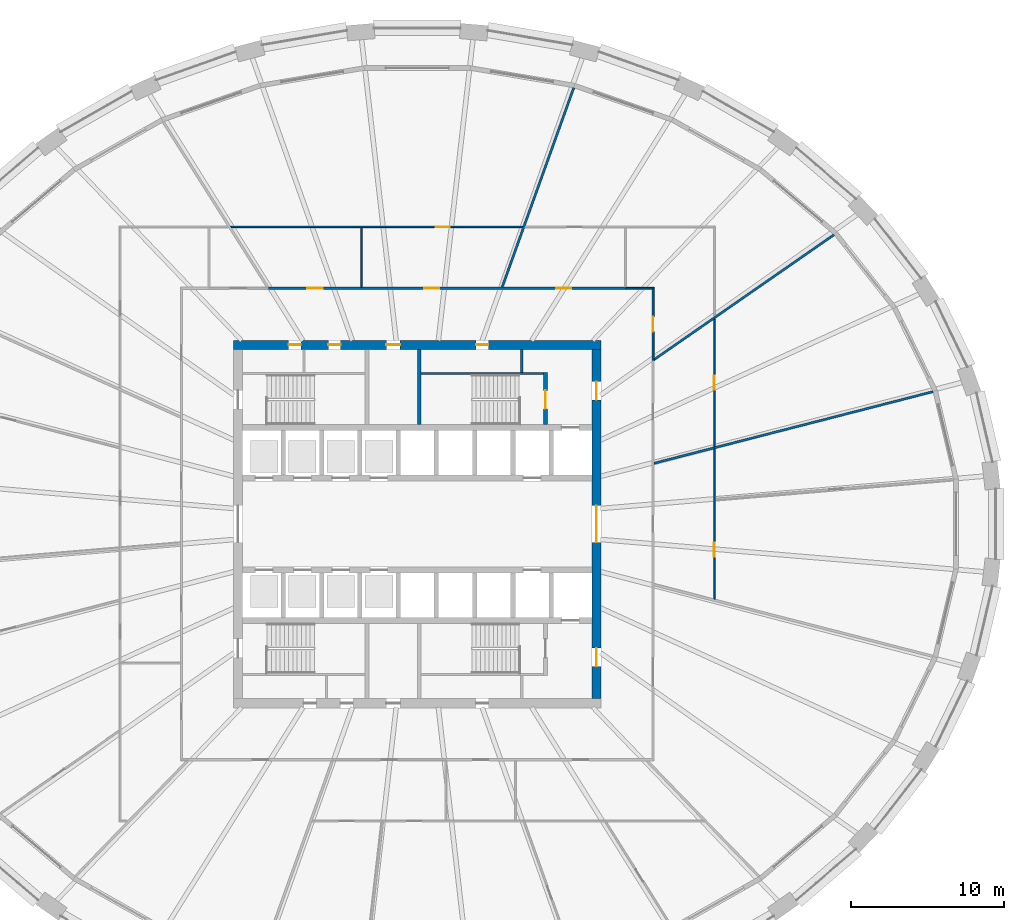
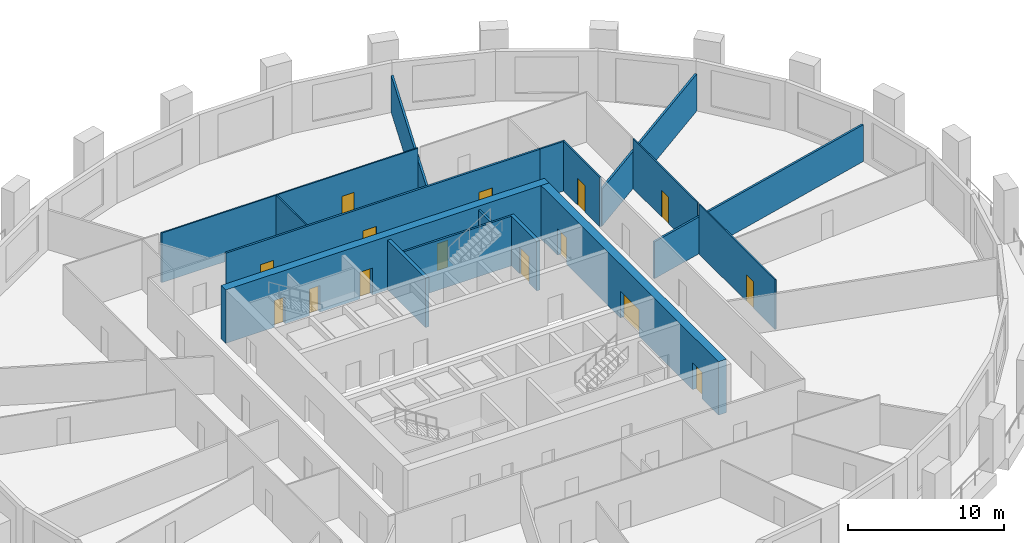
# One storey, part 7 of 12: 16 walls, 15 doors, 15 openings.
"""IFC4 building model written with IfcOpenShell, lengths in metres."""

from ifc_helpers import new_model, si_unit, direction, frame, frame_2d, origin, place, context, subcontext, project, spatial, polyline, rectangle, outline, extrude, material, layer, layer_set, type_object, element, fill, save


model = new_model("IFC4")

# Units and contexts
model_context = context("Model", 3, precision=1e-05, world=origin(), true_north=direction((0.0, 1.0)))
body_context = subcontext(model_context, "Body", "Model", "MODEL_VIEW")
ifc_project = project(units=[si_unit("LENGTHUNIT", "METRE"), si_unit("AREAUNIT", "SQUARE_METRE"), si_unit("VOLUMEUNIT", "CUBIC_METRE"), si_unit("PLANEANGLEUNIT", "RADIAN"), si_unit("MASSUNIT", "GRAM", prefix="KILO")], contexts=[model_context])

# Site, building, storey
site_placement = place(None, origin())
site = spatial("IfcSite", under=ifc_project, at=site_placement, CompositionType="ELEMENT")
building_placement = place(site_placement, origin())
building = spatial("IfcBuilding", under=site, at=building_placement, Name="Halqa Exchange Tower", CompositionType="ELEMENT")
storey_placement = place(building_placement, frame((0.0, 0.0, 31.89990234375)))
storey = spatial("IfcBuildingStorey", under=building, at=storey_placement, Name="L06", CompositionType="ELEMENT", Elevation=31.89990234375)

# Wall, openings, doors
ifc_material_1 = material(Name="Fire-rated gypsum board")
ifc_layer_1 = layer(ifc_material_1, 0.14990234375)
ifc_layer_set_1 = layer_set([ifc_layer_1], Name="Fire-rated gypsum board")
wall_type_1 = type_object("IfcWallType", Name="Fire partition EI 60 150", PredefinedType="PARTITIONING", material=ifc_layer_set_1)
wall_1_placement = place(storey_placement, frame((-9.72998046875, 15.39990234375, 0.0), z_axis=(0.0, 0.0, 1.0), x_axis=(1.0, 0.0, 0.0)))
wall_1 = element("IfcWall", 1, at=wall_1_placement, inside=storey, type_object=wall_type_1, Name="L06-PWL-023", PredefinedType="PARTITIONING", context=body_context, shape_type="SweptSolid", body=[
    extrude(rectangle(XDim=23.330078125, YDim=0.14990234375, at=frame_2d((11.6650390625, 0.0))), origin(), (0.0, 0.0, 1.0), 3.900146484375),
])
opening_1_placement = place(wall_1_placement, frame((18.7900390625, 0.0, 0.0)))
opening_1 = element("IfcOpeningElement", 2, at=opening_1_placement, cuts=wall_1, Name="Opening 01-05", PredefinedType="OPENING", context=body_context, shape_type="SweptSolid", body=[
    extrude(rectangle(XDim=1.0, YDim=2.10009765625, at=frame_2d((0.5, 1.050048828125))), frame((0.0, 0.0869140625, 0.0), z_axis=(0.0, -1.0, 0.0), x_axis=(1.0, 0.0, 0.0)), (0.0, 0.0, 1.0), 0.173828125),
])
opening_2_placement = place(wall_1_placement, frame((10.175048828125, 0.0, 0.0)))
opening_2 = element("IfcOpeningElement", 3, at=opening_2_placement, cuts=wall_1, Name="Opening 01-06", PredefinedType="OPENING", context=body_context, shape_type="SweptSolid", body=[
    extrude(rectangle(XDim=1.0, YDim=2.10009765625, at=frame_2d((0.5, 1.050048828125))), frame((0.0, 0.0869140625, 0.0), z_axis=(0.0, -1.0, 0.0), x_axis=(1.0, 0.0, 0.0)), (0.0, 0.0, 1.0), 0.173828125),
])
opening_3_placement = place(wall_1_placement, frame((2.550048828125, 0.0, 0.0)))
opening_3 = element("IfcOpeningElement", 4, at=opening_3_placement, cuts=wall_1, Name="Opening 01-07", PredefinedType="OPENING", context=body_context, shape_type="SweptSolid", body=[
    extrude(rectangle(XDim=1.0, YDim=2.10009765625, at=frame_2d((0.5, 1.050048828125))), frame((0.0, 0.0869140625, 0.0), z_axis=(0.0, -1.0, 0.0), x_axis=(1.0, 0.0, 0.0)), (0.0, 0.0, 1.0), 0.173828125),
])
ifc_material_2 = material(Name="Steel fire door leaf", Category="steel")
door_type_1 = type_object("IfcDoorType", Name="Fire door FD30S 1000 x 2100", OperationType="SINGLE_SWING_LEFT", PredefinedType="DOOR", material=ifc_material_2)
door_1_placement = place(opening_1_placement, origin())
door_1 = element("IfcDoor", 5, at=door_1_placement, inside=storey, type_object=door_type_1, Name="L06-IDR-005", OperationType="SINGLE_SWING_RIGHT", OverallHeight=2.10009765625, OverallWidth=1.0, PredefinedType="DOOR", context=body_context, shape_type="SweptSolid", body=[
    extrude(rectangle(XDim=1.0, YDim=2.10009765625, at=frame_2d((0.5, 1.050048828125))), frame((0.0, 0.02490234375, 0.0), z_axis=(0.0, -1.0, 0.0), x_axis=(1.0, 0.0, 0.0)), (0.0, 0.0, 1.0), 0.050048828125),
])
fill(opening_1, door_1)
door_2_placement = place(opening_2_placement, origin())
door_2 = element("IfcDoor", 6, at=door_2_placement, inside=storey, type_object=door_type_1, Name="L06-IDR-006", OperationType="SINGLE_SWING_RIGHT", OverallHeight=2.10009765625, OverallWidth=1.0, PredefinedType="DOOR", context=body_context, shape_type="SweptSolid", body=[
    extrude(rectangle(XDim=1.0, YDim=2.10009765625, at=frame_2d((0.5, 1.050048828125))), frame((0.0, 0.02490234375, 0.0), z_axis=(0.0, -1.0, 0.0), x_axis=(1.0, 0.0, 0.0)), (0.0, 0.0, 1.0), 0.050048828125),
])
fill(opening_2, door_2)
door_3_placement = place(opening_3_placement, origin())
door_3 = element("IfcDoor", 7, at=door_3_placement, inside=storey, type_object=door_type_1, Name="L06-IDR-007", OperationType="SINGLE_SWING_RIGHT", OverallHeight=2.10009765625, OverallWidth=1.0, PredefinedType="DOOR", context=body_context, shape_type="SweptSolid", body=[
    extrude(rectangle(XDim=1.0, YDim=2.10009765625, at=frame_2d((0.5, 1.050048828125))), frame((0.0, 0.02490234375, 0.0), z_axis=(0.0, -1.0, 0.0), x_axis=(1.0, 0.0, 0.0)), (0.0, 0.0, 1.0), 0.050048828125),
])
fill(opening_3, door_3)

# Walls
wall_2_placement = place(storey_placement, frame((5.537841796875, 15.449951171875, 0.0), z_axis=(0.0, 0.0, 1.0), x_axis=(0.337914385466, 0.94117685272, 0.0)))
element("IfcWall", 8, at=wall_2_placement, inside=storey, type_object=wall_type_1, Name="L06-PWL-031", PredefinedType="PARTITIONING", context=body_context, shape_type="SweptSolid", body=[
    extrude(outline(polyline([(0.053466796875, -0.074951171875), (1.460205078125, -0.074951171875), (2.866943359375, -0.074951171875), (4.273681640625, -0.074951171875), (4.276611328125, -0.073974609375), (4.27685546875, -0.074951171875), (6.1923828125, -0.074951171875), (8.10791015625, -0.074951171875), (10.0234375, -0.074951171875), (11.93896484375, -0.074951171875), (13.8544921875, -0.074951171875), (13.8544921875, -0.06298828125), (13.85400390625, 0.00146484375), (13.8408203125, 0.074951171875), (11.9169921875, 0.074951171875), (9.9931640625, 0.074951171875), (8.069580078125, 0.074951171875), (6.145751953125, 0.074951171875), (4.22216796875, 0.074951171875), (4.12890625, 0.04150390625), (4.116943359375, 0.074951171875), (2.74462890625, 0.074951171875), (1.372314453125, 0.074951171875), (0.0, 0.074951171875), (0.0, 0.07421875), (0.053466796875, -0.074951171875)])), origin(), (0.0, 0.0, 1.0), 2.91015625),
])
wall_3_placement = place(storey_placement, frame((15.456787109375, 3.964599609375, 0.0), z_axis=(0.0, 0.0, 1.0), x_axis=(0.968588981289, 0.248667218036, 0.0)))
element("IfcWall", 9, at=wall_3_placement, inside=storey, type_object=wall_type_1, Name="L06-PWL-041", PredefinedType="PARTITIONING", context=body_context, shape_type="SweptSolid", body=[
    extrude(outline(polyline([(0.0, -0.074951171875), (1.33349609375, -0.074951171875), (2.666748046875, -0.074951171875), (4.000244140625, -0.074951171875), (4.00048828125, -0.07421875), (4.00341796875, -0.074951171875), (5.85498046875, -0.074951171875), (7.70654296875, -0.074951171875), (9.55810546875, -0.074951171875), (11.40966796875, -0.074951171875), (13.26123046875, -0.074951171875), (15.113037109375, -0.074951171875), (16.964599609375, -0.074951171875), (18.816162109375, -0.074951171875), (18.816162109375, 0.007568359375), (18.80224609375, 0.074951171875), (16.9697265625, 0.074951171875), (15.13720703125, 0.074951171875), (13.3046875, 0.074951171875), (11.47216796875, 0.074951171875), (9.6396484375, 0.074951171875), (7.80712890625, 0.074951171875), (5.974609375, 0.074951171875), (4.141845703125, 0.074951171875), (4.141357421875, 0.07275390625), (4.13330078125, 0.074951171875), (2.76806640625, 0.074951171875), (1.403076171875, 0.074951171875), (0.0380859375, 0.074951171875), (0.0, -0.0732421875), (0.0, -0.074951171875)])), origin(), (0.0, 0.0, 1.0), 2.89208984375),
])
wall_4_placement = place(storey_placement, frame((15.4326171875, 10.71240234375, 0.0), z_axis=(0.0, 0.0, 1.0), x_axis=(0.82152236589, 0.570176290583, 0.0)))
element("IfcWall", 10, at=wall_4_placement, inside=storey, type_object=wall_type_1, Name="L06-PWL-042", PredefinedType="PARTITIONING", context=body_context, shape_type="SweptSolid", body=[
    extrude(outline(polyline([(0.0, -0.074951171875), (1.572021484375, -0.074951171875), (3.144287109375, -0.074951171875), (4.71630859375, -0.074951171875), (4.7177734375, -0.072998046875), (4.720703125, -0.074951171875), (6.644775390625, -0.074951171875), (8.56884765625, -0.074951171875), (10.492919921875, -0.074951171875), (12.416748046875, -0.074951171875), (14.3408203125, -0.074951171875), (14.3408203125, -0.07373046875), (14.336181640625, 0.000244140625), (14.316162109375, 0.074951171875), (12.44140625, 0.074951171875), (10.566650390625, 0.074951171875), (8.69189453125, 0.074951171875), (6.81689453125, 0.074951171875), (4.942138671875, 0.074951171875), (4.941162109375, 0.073486328125), (4.93896484375, 0.074951171875), (3.321044921875, 0.074951171875), (1.703125, 0.074951171875), (0.08544921875, 0.074951171875), (0.009765625, -0.033935546875), (0.02197265625, -0.04248046875), (0.0, -0.07421875), (0.0, -0.074951171875)])), origin(), (0.0, 0.0, 1.0), 2.91015625),
])
ifc_material_3 = material(Name="Fire-rated glazing", Category="glass")
ifc_layer_2 = layer(ifc_material_3, 0.1201171875)
ifc_layer_set_2 = layer_set([ifc_layer_2], Name="Fire-rated glazing")
wall_type_2 = type_object("IfcWallType", Name="Glazed fire partition EI 60 120", PredefinedType="PARTITIONING", material=ifc_layer_set_2)
wall_5_placement = place(storey_placement, frame((13.60009765625, 15.39990234375, 0.0), z_axis=(0.0, 0.0, 1.0), x_axis=(1.0, 0.0, 0.0)))
element("IfcWall", 11, at=wall_5_placement, inside=storey, type_object=wall_type_2, Name="L06-PWL-037", PredefinedType="PARTITIONING", context=body_context, shape_type="SweptSolid", body=[
    extrude(outline(polyline([(0.0, -0.06005859375), (1.73974609375, -0.06005859375), (1.85986328125, 0.06005859375), (0.0, 0.06005859375), (0.0, -0.06005859375)])), origin(), (0.0, 0.0, 1.0), 3.900146484375),
])

# Wall, opening, door
wall_6_placement = place(storey_placement, frame((15.39990234375, 15.4599609375, 0.0), z_axis=(0.0, 0.0, 1.0), x_axis=(0.0, -1.0, 0.0)))
wall_6 = element("IfcWall", 12, at=wall_6_placement, inside=storey, type_object=wall_type_2, Name="L06-PWL-043", PredefinedType="PARTITIONING", context=body_context, shape_type="SweptSolid", body=[
    extrude(outline(polyline([(4.77001953125, 0.06005859375), (3.179931640625, 0.06005859375), (1.590087890625, 0.06005859375), (0.0, 0.06005859375), (0.1201171875, -0.06005859375), (1.670166015625, -0.06005859375), (3.219970703125, -0.06005859375), (4.77001953125, -0.06005859375), (4.77001953125, 0.06005859375)])), origin(), (0.0, 0.0, 1.0), 3.900146484375),
])
opening_4_placement = place(wall_6_placement, frame((1.9150390625, 0.0, 0.0)))
opening_4 = element("IfcOpeningElement", 13, at=opening_4_placement, cuts=wall_6, Name="Opening 01-04", PredefinedType="OPENING", context=body_context, shape_type="SweptSolid", body=[
    extrude(rectangle(XDim=1.0, YDim=2.10009765625, at=frame_2d((0.5, 1.050048828125))), frame((0.0, 0.072021484375, 0.0), z_axis=(0.0, -1.0, 0.0), x_axis=(1.0, 0.0, 0.0)), (0.0, 0.0, 1.0), 0.14404296875),
])
door_4_placement = place(opening_4_placement, origin())
door_4 = element("IfcDoor", 14, at=door_4_placement, inside=storey, type_object=door_type_1, Name="L06-IDR-004", OperationType="SINGLE_SWING_LEFT", OverallHeight=2.10009765625, OverallWidth=1.0, PredefinedType="DOOR", context=body_context, shape_type="SweptSolid", body=[
    extrude(rectangle(XDim=1.0, YDim=2.10009765625, at=frame_2d((0.5, 1.050048828125))), frame((0.0, 0.02490234375, 0.0), z_axis=(0.0, -1.0, 0.0), x_axis=(1.0, 0.0, 0.0)), (0.0, 0.0, 1.0), 0.050048828125),
])
fill(opening_4, door_4)

ifc_material_4 = material(Name="Gypsum board")
ifc_layer_3 = layer(ifc_material_4, 0.10009765625)
ifc_layer_set_3 = layer_set([ifc_layer_3], Name="Gypsum board")
wall_type_3 = type_object("IfcWallType", Name="Partition 100 gypsum", PredefinedType="PARTITIONING", material=ifc_layer_set_3)
wall_7_placement = place(storey_placement, frame((-12.199951171875, 19.39990234375, 0.0), z_axis=(0.0, 0.0, 1.0), x_axis=(1.0, 0.0, 0.0)))
wall_7 = element("IfcWall", 15, at=wall_7_placement, inside=storey, type_object=wall_type_3, Name="L06-PWL-021", PredefinedType="PARTITIONING", context=body_context, shape_type="SweptSolid", body=[
    extrude(outline(polyline([(0.06298828125, -0.050048828125), (1.75439453125, -0.050048828125), (3.44580078125, -0.050048828125), (5.13720703125, -0.050048828125), (6.82861328125, -0.050048828125), (8.52001953125, -0.050048828125), (8.52001953125, -0.0498046875), (8.619873046875, -0.0498046875), (8.619873046875, -0.050048828125), (10.359619140625, -0.050048828125), (12.099365234375, -0.050048828125), (13.839111328125, -0.050048828125), (15.578857421875, -0.050048828125), (17.318603515625, -0.050048828125), (19.058349609375, -0.050048828125), (19.093994140625, 0.04931640625), (19.093994140625, 0.050048828125), (17.1845703125, 0.050048828125), (15.275146484375, 0.050048828125), (13.36572265625, 0.050048828125), (11.456298828125, 0.050048828125), (9.546875, 0.050048828125), (7.6376953125, 0.050048828125), (5.728271484375, 0.050048828125), (3.81884765625, 0.050048828125), (1.909423828125, 0.050048828125), (0.0, 0.050048828125), (0.0, 0.049560546875), (0.06298828125, -0.050048828125)])), origin(), (0.0, 0.0, 1.0), 3.900146484375),
])
opening_5_placement = place(wall_7_placement, frame((13.4150390625, 0.0, 0.0)))
opening_5 = element("IfcOpeningElement", 16, at=opening_5_placement, cuts=wall_7, Name="Opening 01-21", PredefinedType="OPENING", context=body_context, shape_type="SweptSolid", body=[
    extrude(rectangle(XDim=0.89990234375, YDim=2.10009765625, at=frame_2d((0.449951171875, 1.050048828125))), frame((0.0, 0.06201171875, 0.0), z_axis=(0.0, -1.0, 0.0), x_axis=(1.0, 0.0, 0.0)), (0.0, 0.0, 1.0), 0.1240234375),
])
ifc_material_5 = material(Name="Timber door leaf", Category="wood")
door_type_2 = type_object("IfcDoorType", Name="Door 900 x 2100", OperationType="SINGLE_SWING_LEFT", PredefinedType="DOOR", material=ifc_material_5)
door_5_placement = place(opening_5_placement, frame((0.89990234375, 0.0, 0.0), z_axis=(0.0, 0.0, 1.0), x_axis=(-1.0, 0.0, 0.0)))
door_5 = element("IfcDoor", 17, at=door_5_placement, inside=storey, type_object=door_type_2, Name="L06-IDR-021", OperationType="SINGLE_SWING_RIGHT", OverallHeight=2.10009765625, OverallWidth=0.89990234375, PredefinedType="DOOR", context=body_context, shape_type="SweptSolid", body=[
    extrude(rectangle(XDim=0.89990234375, YDim=2.10009765625, at=frame_2d((0.449951171875, 1.050048828125))), frame((0.0, 0.02490234375, 0.0), z_axis=(0.0, -1.0, 0.0), x_axis=(1.0, 0.0, 0.0)), (0.0, 0.0, 1.0), 0.050048828125),
])
fill(opening_5, door_5)

# Wall
wall_8_placement = place(storey_placement, frame((-3.6298828125, 15.47509765625, 0.0), z_axis=(0.0, 0.0, 1.0), x_axis=(0.0, 1.0, 0.0)))
element("IfcWall", 18, at=wall_8_placement, inside=storey, type_object=wall_type_3, Name="L06-PWL-026", PredefinedType="PARTITIONING", context=body_context, shape_type="SweptSolid", body=[
    extrude(rectangle(XDim=3.875, YDim=0.10009765625, at=frame_2d((1.9375, 0.0))), origin(), (0.0, 0.0, 1.0), 3.900146484375),
])

# Wall, opening, door
wall_9_placement = place(storey_placement, frame((19.39990234375, -4.912109375, 0.0), z_axis=(0.0, 0.0, 1.0), x_axis=(0.0, 1.0, 0.0)))
wall_9 = element("IfcWall", 19, at=wall_9_placement, inside=storey, type_object=wall_type_3, Name="L06-PWL-044", PredefinedType="PARTITIONING", context=body_context, shape_type="SweptSolid", body=[
    extrude(outline(polyline([(9.82421875, -0.050048828125), (9.82421875, -0.04931640625), (9.798583984375, 0.050048828125), (7.843994140625, 0.050048828125), (5.889404296875, 0.050048828125), (3.934814453125, 0.050048828125), (1.980224609375, 0.050048828125), (0.025634765625, 0.050048828125), (0.0, -0.04931640625), (0.0, -0.050048828125), (1.96484375, -0.050048828125), (3.9296875, -0.050048828125), (5.89453125, -0.050048828125), (7.859375, -0.050048828125), (9.82421875, -0.050048828125)])), origin(), (0.0, 0.0, 1.0), 3.900146484375),
])
opening_6_placement = place(wall_9_placement, frame((2.781982421875, 0.0, 0.0)))
opening_6 = element("IfcOpeningElement", 20, at=opening_6_placement, cuts=wall_9, Name="Opening 01-17", PredefinedType="OPENING", context=body_context, shape_type="SweptSolid", body=[
    extrude(rectangle(XDim=0.89990234375, YDim=2.10009765625, at=frame_2d((0.449951171875, 1.050048828125))), frame((0.0, 0.06201171875, 0.0), z_axis=(0.0, -1.0, 0.0), x_axis=(1.0, 0.0, 0.0)), (0.0, 0.0, 1.0), 0.1240234375),
])
door_6_placement = place(opening_6_placement, origin())
door_6 = element("IfcDoor", 21, at=door_6_placement, inside=storey, type_object=door_type_2, Name="L06-IDR-017", OperationType="SINGLE_SWING_RIGHT", OverallHeight=2.10009765625, OverallWidth=0.89990234375, PredefinedType="DOOR", context=body_context, shape_type="SweptSolid", body=[
    extrude(rectangle(XDim=0.89990234375, YDim=2.10009765625, at=frame_2d((0.449951171875, 1.050048828125))), frame((0.0, 0.02490234375, 0.0), z_axis=(0.0, -1.0, 0.0), x_axis=(1.0, 0.0, 0.0)), (0.0, 0.0, 1.0), 0.050048828125),
])
fill(opening_6, door_6)

wall_10_placement = place(storey_placement, frame((19.39990234375, 13.408935546875, 0.0), z_axis=(0.0, 0.0, 1.0), x_axis=(0.0, -1.0, 0.0)))
wall_10 = element("IfcWall", 22, at=wall_10_placement, inside=storey, type_object=wall_type_3, Name="L06-PWL-046", PredefinedType="PARTITIONING", context=body_context, shape_type="SweptSolid", body=[
    extrude(outline(polyline([(8.366943359375, -0.050048828125), (8.366943359375, -0.048095703125), (8.341796875, 0.050048828125), (6.67333984375, 0.050048828125), (5.005126953125, 0.050048828125), (3.336669921875, 0.050048828125), (1.66845703125, 0.050048828125), (0.0, 0.050048828125), (0.0, 0.049072265625), (0.06884765625, -0.050048828125), (1.728515625, -0.050048828125), (3.38818359375, -0.050048828125), (5.047607421875, -0.050048828125), (6.707275390625, -0.050048828125), (8.366943359375, -0.050048828125)])), origin(), (0.0, 0.0, 1.0), 3.900146484375),
])
opening_7_placement = place(wall_10_placement, frame((3.73388671875, 0.0, 0.0)))
opening_7 = element("IfcOpeningElement", 23, at=opening_7_placement, cuts=wall_10, Name="Opening 01-19", PredefinedType="OPENING", context=body_context, shape_type="SweptSolid", body=[
    extrude(rectangle(XDim=0.89990234375, YDim=2.10009765625, at=frame_2d((0.449951171875, 1.050048828125))), frame((0.0, 0.06201171875, 0.0), z_axis=(0.0, -1.0, 0.0), x_axis=(1.0, 0.0, 0.0)), (0.0, 0.0, 1.0), 0.1240234375),
])
door_7_placement = place(opening_7_placement, frame((0.89990234375, 0.0, 0.0), z_axis=(0.0, 0.0, 1.0), x_axis=(-1.0, 0.0, 0.0)))
door_7 = element("IfcDoor", 24, at=door_7_placement, inside=storey, type_object=door_type_2, Name="L06-IDR-019", OperationType="SINGLE_SWING_LEFT", OverallHeight=2.10009765625, OverallWidth=0.89990234375, PredefinedType="DOOR", context=body_context, shape_type="SweptSolid", body=[
    extrude(rectangle(XDim=0.89990234375, YDim=2.10009765625, at=frame_2d((0.449951171875, 1.050048828125))), frame((0.0, 0.02490234375, 0.0), z_axis=(0.0, -1.0, 0.0), x_axis=(1.0, 0.0, 0.0)), (0.0, 0.0, 1.0), 0.050048828125),
])
fill(opening_7, door_7)

# Wall
ifc_layer_4 = layer(ifc_material_4, 0.14990234375)
ifc_layer_set_4 = layer_set([ifc_layer_4], Name="Gypsum board")
wall_type_4 = type_object("IfcWallType", Name="Penthouse riser wall 150 gypsum", PredefinedType="PARTITIONING", material=ifc_layer_set_4)
wall_11_placement = place(storey_placement, frame((6.824951171875, 9.89990234375, 0.0), z_axis=(0.0, 0.0, 1.0), x_axis=(0.0, 1.0, 0.0)))
element("IfcWall", 25, at=wall_11_placement, inside=storey, type_object=wall_type_4, Name="Firefighting lobby west wall N", PredefinedType="PARTITIONING", context=body_context, shape_type="SweptSolid", body=[
    extrude(rectangle(XDim=1.5, YDim=0.14990234375, at=frame_2d((0.75, 0.0))), origin(), (0.0, 0.0, 1.0), 3.900146484375),
])

# Wall, openings, doors
ifc_material_6 = material(Name="Concrete C80/95", Category="concrete")
ifc_layer_5 = layer(ifc_material_6, 0.60009765625)
ifc_layer_set_5 = layer_set([ifc_layer_5], Name="Concrete C80/95")
wall_type_5 = type_object("IfcWallType", Name="RC core wall 600 C80/95", PredefinedType="SHEAR", material=ifc_layer_set_5)
wall_12_placement = place(storey_placement, frame((-12.0, 11.699951171875, 0.0), z_axis=(0.0, 0.0, 1.0), x_axis=(1.0, 0.0, 0.0)))
wall_12 = element("IfcWall", 26, at=wall_12_placement, inside=storey, type_object=wall_type_5, Name="Core wall north", PredefinedType="SHEAR", context=body_context, shape_type="SweptSolid", body=[
    extrude(rectangle(XDim=24.0, YDim=0.60009765625, at=frame_2d((12.0, 0.0))), origin(), (0.0, 0.0, 1.0), 4.2001953125),
])
opening_8_placement = place(wall_12_placement, frame((9.97509765625, 0.0, 0.0)))
opening_8 = element("IfcOpeningElement", 27, at=opening_8_placement, cuts=wall_12, Name="Opening T01-C21", PredefinedType="OPENING", context=body_context, shape_type="SweptSolid", body=[
    extrude(rectangle(XDim=0.89990234375, YDim=2.10009765625, at=frame_2d((0.449951171875, 1.050048828125))), frame((0.0, 0.31201171875, 0.0), z_axis=(0.0, -1.0, 0.0), x_axis=(1.0, 0.0, 0.0)), (0.0, 0.0, 1.0), 0.6240234375),
])
opening_9_placement = place(wall_12_placement, frame((3.60009765625, 0.0, 0.0)))
opening_9 = element("IfcOpeningElement", 28, at=opening_9_placement, cuts=wall_12, Name="Opening T01-C22", PredefinedType="OPENING", context=body_context, shape_type="SweptSolid", body=[
    extrude(rectangle(XDim=0.800048828125, YDim=2.10009765625, at=frame_2d((0.39990234375, 1.050048828125))), frame((0.0, 0.31201171875, 0.0), z_axis=(0.0, -1.0, 0.0), x_axis=(1.0, 0.0, 0.0)), (0.0, 0.0, 1.0), 0.6240234375),
])
opening_10_placement = place(wall_12_placement, frame((6.199951171875, 0.0, 0.0)))
opening_10 = element("IfcOpeningElement", 29, at=opening_10_placement, cuts=wall_12, Name="Opening T01-C23", PredefinedType="OPENING", context=body_context, shape_type="SweptSolid", body=[
    extrude(rectangle(XDim=0.800048828125, YDim=2.10009765625, at=frame_2d((0.39990234375, 1.050048828125))), frame((0.0, 0.31201171875, 0.0), z_axis=(0.0, -1.0, 0.0), x_axis=(1.0, 0.0, 0.0)), (0.0, 0.0, 1.0), 0.6240234375),
])
opening_11_placement = place(wall_12_placement, frame((15.85009765625, 0.0, 0.0)))
opening_11 = element("IfcOpeningElement", 30, at=opening_11_placement, cuts=wall_12, Name="Opening T01-C24", PredefinedType="OPENING", context=body_context, shape_type="SweptSolid", body=[
    extrude(rectangle(XDim=0.800048828125, YDim=2.10009765625, at=frame_2d((0.39990234375, 1.050048828125))), frame((0.0, 0.31201171875, 0.0), z_axis=(0.0, -1.0, 0.0), x_axis=(1.0, 0.0, 0.0)), (0.0, 0.0, 1.0), 0.6240234375),
])
ifc_material_7 = material(Name="Timber fire door leaf", Category="wood")
door_type_3 = type_object("IfcDoorType", Name="Core room door FD30 900 x 2100", OperationType="SINGLE_SWING_LEFT", PredefinedType="DOOR", material=ifc_material_7)
door_8_placement = place(opening_8_placement, frame((0.89990234375, 0.0, 0.0), z_axis=(0.0, 0.0, 1.0), x_axis=(-1.0, 0.0, 0.0)))
door_8 = element("IfcDoor", 31, at=door_8_placement, inside=storey, type_object=door_type_3, Name="Core room door", OperationType="SINGLE_SWING_LEFT", OverallHeight=2.10009765625, OverallWidth=0.89990234375, PredefinedType="DOOR", context=body_context, shape_type="SweptSolid", body=[
    extrude(rectangle(XDim=0.89990234375, YDim=2.10009765625, at=frame_2d((0.449951171875, 1.050048828125))), frame((0.0, 0.02490234375, 0.0), z_axis=(0.0, -1.0, 0.0), x_axis=(1.0, 0.0, 0.0)), (0.0, 0.0, 1.0), 0.050048828125),
])
fill(opening_8, door_8)
door_type_4 = type_object("IfcDoorType", Name="Riser door FD60 800 x 2100", OperationType="SINGLE_SWING_LEFT", PredefinedType="DOOR", material=ifc_material_2)
door_9_placement = place(opening_9_placement, frame((0.800048828125, 0.0, 0.0), z_axis=(0.0, 0.0, 1.0), x_axis=(-1.0, 0.0, 0.0)))
door_9 = element("IfcDoor", 32, at=door_9_placement, inside=storey, type_object=door_type_4, Name="Core room door", OperationType="SINGLE_SWING_RIGHT", OverallHeight=2.10009765625, OverallWidth=0.800048828125, PredefinedType="DOOR", context=body_context, shape_type="SweptSolid", body=[
    extrude(rectangle(XDim=0.800048828125, YDim=2.10009765625, at=frame_2d((0.39990234375, 1.050048828125))), frame((0.0, 0.02490234375, 0.0), z_axis=(0.0, -1.0, 0.0), x_axis=(1.0, 0.0, 0.0)), (0.0, 0.0, 1.0), 0.050048828125),
])
fill(opening_9, door_9)
door_10_placement = place(opening_10_placement, frame((0.800048828125, 0.0, 0.0), z_axis=(0.0, 0.0, 1.0), x_axis=(-1.0, 0.0, 0.0)))
door_10 = element("IfcDoor", 33, at=door_10_placement, inside=storey, type_object=door_type_4, Name="Core room door", OperationType="SINGLE_SWING_LEFT", OverallHeight=2.10009765625, OverallWidth=0.800048828125, PredefinedType="DOOR", context=body_context, shape_type="SweptSolid", body=[
    extrude(rectangle(XDim=0.800048828125, YDim=2.10009765625, at=frame_2d((0.39990234375, 1.050048828125))), frame((0.0, 0.02490234375, 0.0), z_axis=(0.0, -1.0, 0.0), x_axis=(1.0, 0.0, 0.0)), (0.0, 0.0, 1.0), 0.050048828125),
])
fill(opening_10, door_10)
door_11_placement = place(opening_11_placement, frame((0.800048828125, 0.0, 0.0), z_axis=(0.0, 0.0, 1.0), x_axis=(-1.0, 0.0, 0.0)))
door_11 = element("IfcDoor", 34, at=door_11_placement, inside=storey, type_object=door_type_4, Name="Core room door", OperationType="SINGLE_SWING_RIGHT", OverallHeight=2.10009765625, OverallWidth=0.800048828125, PredefinedType="DOOR", context=body_context, shape_type="SweptSolid", body=[
    extrude(rectangle(XDim=0.800048828125, YDim=2.10009765625, at=frame_2d((0.39990234375, 1.050048828125))), frame((0.0, 0.02490234375, 0.0), z_axis=(0.0, -1.0, 0.0), x_axis=(1.0, 0.0, 0.0)), (0.0, 0.0, 1.0), 0.050048828125),
])
fill(opening_11, door_11)

wall_13_placement = place(storey_placement, frame((11.699951171875, -11.39990234375, 0.0), z_axis=(0.0, 0.0, 1.0), x_axis=(0.0, 1.0, 0.0)))
wall_13 = element("IfcWall", 35, at=wall_13_placement, inside=storey, type_object=wall_type_5, Name="Core wall east", PredefinedType="SHEAR", context=body_context, shape_type="SweptSolid", body=[
    extrude(rectangle(XDim=22.7998046875, YDim=0.60009765625, at=frame_2d((11.39990234375, 0.0))), origin(), (0.0, 0.0, 1.0), 4.2001953125),
])
opening_12_placement = place(wall_13_placement, frame((10.199951171875, 0.0, 0.0)))
opening_12 = element("IfcOpeningElement", 36, at=opening_12_placement, cuts=wall_13, Name="Opening T01-C14", PredefinedType="OPENING", context=body_context, shape_type="SweptSolid", body=[
    extrude(rectangle(XDim=2.39990234375, YDim=2.10009765625, at=frame_2d((1.199951171875, 1.050048828125))), frame((0.0, 0.31201171875, 0.0), z_axis=(0.0, -1.0, 0.0), x_axis=(1.0, 0.0, 0.0)), (0.0, 0.0, 1.0), 0.6240234375),
])
opening_13_placement = place(wall_13_placement, frame((19.5, 0.0, 0.0)))
opening_13 = element("IfcOpeningElement", 37, at=opening_13_placement, cuts=wall_13, Name="Opening T01-C19", PredefinedType="OPENING", context=body_context, shape_type="SweptSolid", body=[
    extrude(rectangle(XDim=1.199951171875, YDim=2.10009765625, at=frame_2d((0.60009765625, 1.050048828125))), frame((0.0, 0.31201171875, 0.0), z_axis=(0.0, -1.0, 0.0), x_axis=(1.0, 0.0, 0.0)), (0.0, 0.0, 1.0), 0.6240234375),
])
opening_14_placement = place(wall_13_placement, frame((2.10009765625, 0.0, 0.0)))
opening_14 = element("IfcOpeningElement", 38, at=opening_14_placement, cuts=wall_13, Name="Opening T01-C20", PredefinedType="OPENING", context=body_context, shape_type="SweptSolid", body=[
    extrude(rectangle(XDim=1.199951171875, YDim=2.10009765625, at=frame_2d((0.60009765625, 1.050048828125))), frame((0.0, 0.31201171875, 0.0), z_axis=(0.0, -1.0, 0.0), x_axis=(1.0, 0.0, 0.0)), (0.0, 0.0, 1.0), 0.6240234375),
])
door_type_5 = type_object("IfcDoorType", Name="Firefighting lobby door FD90 1200 x 2100", OperationType="SINGLE_SWING_RIGHT", PredefinedType="DOOR", material=ifc_material_2)
door_12_placement = place(opening_13_placement, origin())
door_12 = element("IfcDoor", 39, at=door_12_placement, inside=storey, type_object=door_type_5, Name="Firefighting lobby door", OperationType="SINGLE_SWING_RIGHT", OverallHeight=2.10009765625, OverallWidth=1.199951171875, PredefinedType="DOOR", context=body_context, shape_type="SweptSolid", body=[
    extrude(rectangle(XDim=1.199951171875, YDim=2.10009765625, at=frame_2d((0.60009765625, 1.050048828125))), frame((0.0, 0.02490234375, 0.0), z_axis=(0.0, -1.0, 0.0), x_axis=(1.0, 0.0, 0.0)), (0.0, 0.0, 1.0), 0.050048828125),
])
fill(opening_13, door_12)
door_13_placement = place(opening_14_placement, origin())
door_13 = element("IfcDoor", 40, at=door_13_placement, inside=storey, type_object=door_type_5, Name="Firefighting lobby door", OperationType="SINGLE_SWING_LEFT", OverallHeight=2.10009765625, OverallWidth=1.199951171875, PredefinedType="DOOR", context=body_context, shape_type="SweptSolid", body=[
    extrude(rectangle(XDim=1.199951171875, YDim=2.10009765625, at=frame_2d((0.60009765625, 1.050048828125))), frame((0.0, 0.02490234375, 0.0), z_axis=(0.0, -1.0, 0.0), x_axis=(1.0, 0.0, 0.0)), (0.0, 0.0, 1.0), 0.050048828125),
])
fill(opening_14, door_13)
door_type_6 = type_object("IfcDoorType", Name="Lobby double door FD60 2400 x 2100", OperationType="DOUBLE_DOOR_SINGLE_SWING", PredefinedType="DOOR", material=ifc_material_2)
door_14_placement = place(opening_12_placement, origin())
door_14 = element("IfcDoor", 41, at=door_14_placement, inside=storey, type_object=door_type_6, Name="Lift lobby double door", OperationType="DOUBLE_DOOR_SINGLE_SWING", OverallHeight=2.10009765625, OverallWidth=2.39990234375, PredefinedType="DOOR", context=body_context, shape_type="SweptSolid", body=[
    extrude(rectangle(XDim=2.39990234375, YDim=2.10009765625, at=frame_2d((1.199951171875, 1.050048828125))), frame((0.0, 0.02490234375, 0.0), z_axis=(0.0, -1.0, 0.0), x_axis=(1.0, 0.0, 0.0)), (0.0, 0.0, 1.0), 0.050048828125),
])
fill(opening_12, door_14)

# Walls
ifc_material_8 = material(Name="Concrete C30/37", Category="concrete")
ifc_layer_6 = layer(ifc_material_8, 0.14990234375)
ifc_layer_set_6 = layer_set([ifc_layer_6], Name="Concrete C30/37")
wall_type_6 = type_object("IfcWallType", Name="RC stair wall 150 C30/37", PredefinedType="SHEAR", material=ifc_layer_set_6)
wall_14_placement = place(storey_placement, frame((0.25, 9.824951171875, 0.0), z_axis=(0.0, 0.0, 1.0), x_axis=(1.0, 0.0, 0.0)))
element("IfcWall", 42, at=wall_14_placement, inside=storey, type_object=wall_type_6, Name="Stair ST2 north wall N", PredefinedType="SHEAR", context=body_context, shape_type="SweptSolid", body=[
    extrude(rectangle(XDim=8.0, YDim=0.14990234375, at=frame_2d((4.0, 0.0))), origin(), (0.0, 0.0, 1.0), 3.900146484375),
])
ifc_layer_7 = layer(ifc_material_8, 0.25)
ifc_layer_set_7 = layer_set([ifc_layer_7], Name="Concrete C30/37")
wall_type_7 = type_object("IfcWallType", Name="RC stair wall 250 C30/37", PredefinedType="SHEAR", material=ifc_layer_set_7)
wall_15_placement = place(storey_placement, frame((0.125, 6.5, 0.0), z_axis=(0.0, 0.0, 1.0), x_axis=(0.0, 1.0, 0.0)))
element("IfcWall", 43, at=wall_15_placement, inside=storey, type_object=wall_type_7, Name="Stair ST2 west wall N", PredefinedType="SHEAR", context=body_context, shape_type="SweptSolid", body=[
    extrude(rectangle(XDim=4.89990234375, YDim=0.25, at=frame_2d((2.449951171875, 0.0))), origin(), (0.0, 0.0, 1.0), 3.900146484375),
])

# Wall, opening, door
wall_16_placement = place(storey_placement, frame((8.375, 6.5, 0.0), z_axis=(0.0, 0.0, 1.0), x_axis=(0.0, 1.0, 0.0)))
wall_16 = element("IfcWall", 44, at=wall_16_placement, inside=storey, type_object=wall_type_7, Name="Stair ST2 east wall N", PredefinedType="SHEAR", context=body_context, shape_type="SweptSolid", body=[
    extrude(rectangle(XDim=3.39990234375, YDim=0.25, at=frame_2d((1.699951171875, 0.0))), origin(), (0.0, 0.0, 1.0), 3.900146484375),
])
opening_15_placement = place(wall_16_placement, frame((1.02490234375, 0.0, 0.0)))
opening_15 = element("IfcOpeningElement", 45, at=opening_15_placement, cuts=wall_16, Name="Opening T01-C16", PredefinedType="OPENING", context=body_context, shape_type="SweptSolid", body=[
    extrude(rectangle(XDim=1.199951171875, YDim=2.10009765625, at=frame_2d((0.60009765625, 1.050048828125))), frame((0.0, 0.136962890625, 0.0), z_axis=(0.0, -1.0, 0.0), x_axis=(1.0, 0.0, 0.0)), (0.0, 0.0, 1.0), 0.27392578125),
])
door_type_7 = type_object("IfcDoorType", Name="Stair door FD90 1200 x 2100", OperationType="SINGLE_SWING_LEFT", PredefinedType="DOOR", material=ifc_material_2)
door_15_placement = place(opening_15_placement, origin())
door_15 = element("IfcDoor", 46, at=door_15_placement, inside=storey, type_object=door_type_7, Name="Stair door ST2", OperationType="SINGLE_SWING_RIGHT", OverallHeight=2.10009765625, OverallWidth=1.199951171875, PredefinedType="DOOR", context=body_context, shape_type="SweptSolid", body=[
    extrude(rectangle(XDim=1.199951171875, YDim=2.10009765625, at=frame_2d((0.60009765625, 1.050048828125))), frame((0.0, 0.02490234375, 0.0), z_axis=(0.0, -1.0, 0.0), x_axis=(1.0, 0.0, 0.0)), (0.0, 0.0, 1.0), 0.050048828125),
])
fill(opening_15, door_15)

save(model, "model.ifc")
